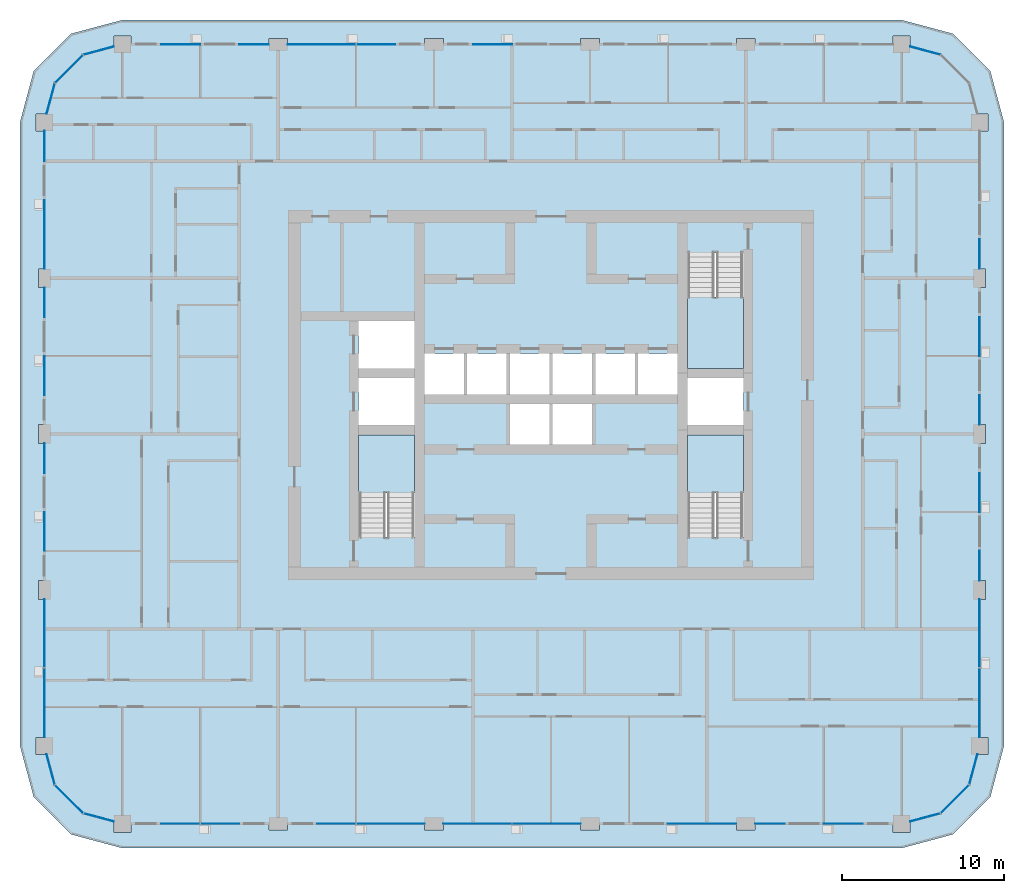
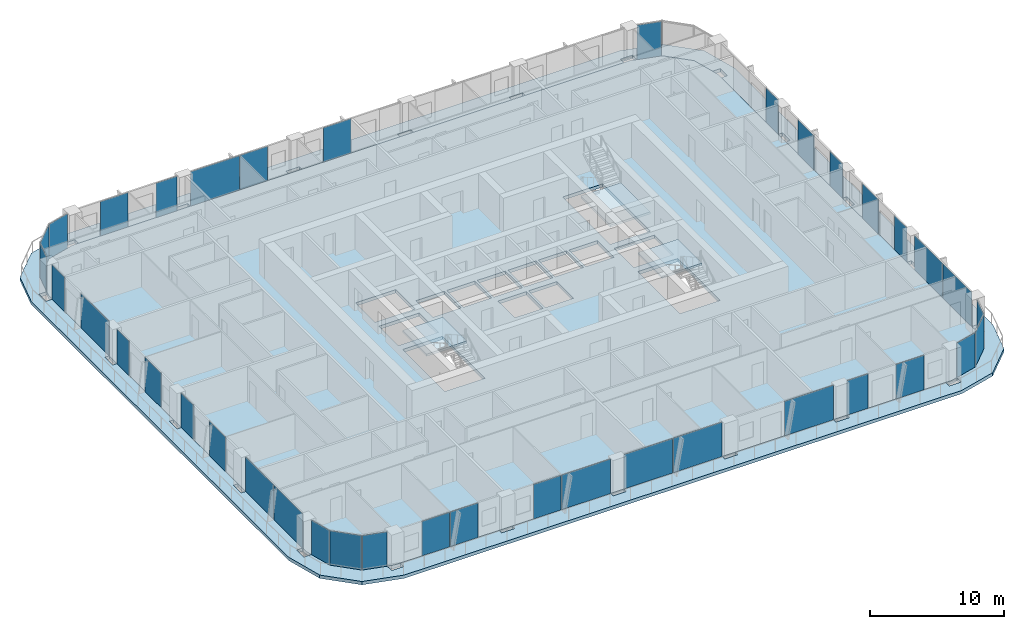
# One storey, part 7 of 22: 39 plates, 5 slabs, 23 elements without a shape of their own.
"""IFC4 building model written with IfcOpenShell, lengths in metres."""

from ifc_helpers import new_model, si_unit, direction, frame, origin, origin_2d, place, context, subcontext, project, spatial, polyline, rectangle, outline, extrude, material, layer, layer_set, type_object, element, aggregate, save


model = new_model("IFC4")

# Units and contexts
model_context = context("Model", 3, precision=1e-05, world=origin(), true_north=direction((0.0, 1.0)))
body_context = subcontext(model_context, "Body", "Model", "MODEL_VIEW")
ifc_project = project(units=[si_unit("LENGTHUNIT", "METRE"), si_unit("AREAUNIT", "SQUARE_METRE"), si_unit("VOLUMEUNIT", "CUBIC_METRE"), si_unit("PLANEANGLEUNIT", "RADIAN"), si_unit("MASSUNIT", "GRAM", prefix="KILO")], contexts=[model_context])

# Site, building, storey
site_placement = place(None, origin())
site = spatial("IfcSite", under=ifc_project, at=site_placement, CompositionType="ELEMENT")
building_placement = place(site_placement, origin())
building = spatial("IfcBuilding", under=site, at=building_placement, Name="Madar Terraces", CompositionType="ELEMENT")
storey_placement = place(building_placement, frame((0.0, 0.0, 152.5)))
storey = spatial("IfcBuildingStorey", under=building, at=storey_placement, Name="L39", CompositionType="ELEMENT", Elevation=152.5)

# Slabs
ifc_material_1 = material(Name="Concrete C50/60", Category="concrete")
ifc_layer_1 = layer(ifc_material_1, 0.300048828125)
ifc_layer_set_1 = layer_set([ifc_layer_1], Name="Balcony band 300")
slab_type_1 = type_object("IfcSlabType", Name="Balcony band 300", PredefinedType="FLOOR", material=ifc_layer_set_1)
slab_1_placement = place(storey_placement, frame((0.0, 0.0, -0.300048828125)))
element("IfcSlab", 1, at=slab_1_placement, inside=storey, type_object=slab_type_1, Name="Balcony band", PredefinedType="FLOOR", context=body_context, shape_type="SweptSolid", body=[
    extrude(outline(polyline([(4.800048828125, -1.5), (1.64990234375, -0.656005859375), (-0.656005859375, 1.64990234375), (-1.5, 4.800048828125), (-1.5, 43.199951171875), (-0.656005859375, 46.35009765625), (1.64990234375, 48.656005859375), (4.800048828125, 49.5), (52.800048828125, 49.5), (55.949951171875, 48.656005859375), (58.256103515625, 46.35009765625), (59.10009765625, 43.199951171875), (59.10009765625, 4.800048828125), (58.256103515625, 1.64990234375), (55.949951171875, -0.656005859375), (52.800048828125, -1.5), (4.800048828125, -1.5)]), holes=[polyline([(5.324951171875, -0.52490234375), (5.324951171875, 0.0), (13.824951171875, 0.0), (13.824951171875, -0.375), (14.97509765625, -0.375), (14.97509765625, 0.0), (23.425048828125, 0.0), (23.425048828125, -0.375), (24.574951171875, -0.375), (24.574951171875, 0.0), (33.02490234375, 0.0), (33.02490234375, -0.375), (34.175048828125, -0.375), (34.175048828125, 0.0), (42.625, 0.0), (42.625, -0.375), (43.77490234375, -0.375), (43.77490234375, 0.0), (52.27490234375, 0.0), (52.27490234375, -0.52490234375), (53.324951171875, -0.52490234375), (53.324951171875, 0.140625), (55.199951171875, 0.64306640625), (56.956787109375, 2.39990234375), (57.459228515625, 4.27490234375), (58.125, 4.27490234375), (58.125, 5.324951171875), (57.60009765625, 5.324951171875), (57.60009765625, 13.824951171875), (57.97509765625, 13.824951171875), (57.97509765625, 14.97509765625), (57.60009765625, 14.97509765625), (57.60009765625, 23.425048828125), (57.97509765625, 23.425048828125), (57.97509765625, 24.574951171875), (57.60009765625, 24.574951171875), (57.60009765625, 33.02490234375), (57.97509765625, 33.02490234375), (57.97509765625, 34.175048828125), (57.60009765625, 34.175048828125), (57.60009765625, 42.675048828125), (58.125, 42.675048828125), (58.125, 43.72509765625), (57.459228515625, 43.72509765625), (56.956787109375, 45.60009765625), (55.199951171875, 47.35693359375), (53.324951171875, 47.859375), (53.324951171875, 48.52490234375), (52.27490234375, 48.52490234375), (52.27490234375, 48.0), (43.77490234375, 48.0), (43.77490234375, 48.375), (42.625, 48.375), (42.625, 48.0), (34.175048828125, 48.0), (34.175048828125, 48.375), (33.02490234375, 48.375), (33.02490234375, 48.0), (24.574951171875, 48.0), (24.574951171875, 48.375), (23.425048828125, 48.375), (23.425048828125, 48.0), (14.97509765625, 48.0), (14.97509765625, 48.375), (13.824951171875, 48.375), (13.824951171875, 48.0), (5.324951171875, 48.0), (5.324951171875, 48.52490234375), (4.27490234375, 48.52490234375), (4.27490234375, 47.859375), (2.39990234375, 47.35693359375), (0.64306640625, 45.60009765625), (0.140625, 43.72509765625), (-0.52490234375, 43.72509765625), (-0.52490234375, 42.675048828125), (0.0, 42.675048828125), (0.0, 34.175048828125), (-0.375, 34.175048828125), (-0.375, 33.02490234375), (0.0, 33.02490234375), (0.0, 24.574951171875), (-0.375, 24.574951171875), (-0.375, 23.425048828125), (0.0, 23.425048828125), (0.0, 14.97509765625), (-0.375, 14.97509765625), (-0.375, 13.824951171875), (0.0, 13.824951171875), (0.0, 5.324951171875), (-0.52490234375, 5.324951171875), (-0.52490234375, 4.27490234375), (0.140625, 4.27490234375), (0.64306640625, 2.39990234375), (2.39990234375, 0.64306640625), (4.27490234375, 0.140625), (4.27490234375, -0.52490234375), (5.324951171875, -0.52490234375)])]), origin(), (0.0, 0.0, 1.0), 0.300048828125),
])
ifc_material_2 = material(Name="Concrete C50/60", Category="concrete")
ifc_layer_2 = layer(ifc_material_2, 0.300048828125)
ifc_layer_set_2 = layer_set([ifc_layer_2], Name="FS2 PT flat slab 300")
slab_type_2 = type_object("IfcSlabType", Name="FS2 PT flat slab 300", PredefinedType="FLOOR", material=ifc_layer_set_2)
slab_2_placement = place(storey_placement, frame((0.0, 0.0, -0.300048828125)))
element("IfcSlab", 2, at=slab_2_placement, inside=storey, type_object=slab_type_2, Name="Floor slab L39 (1)", PredefinedType="FLOOR", context=body_context, shape_type="SweptSolid", body=[
    extrude(outline(polyline([(52.800048828125, 0.0), (55.199951171875, 0.64306640625), (56.95703125, 2.39990234375), (57.60009765625, 4.800048828125), (57.60009765625, 43.199951171875), (56.95703125, 45.60009765625), (55.199951171875, 47.35693359375), (52.800048828125, 48.0), (4.800048828125, 48.0), (2.39990234375, 47.35693359375), (0.64306640625, 45.60009765625), (0.0, 43.199951171875), (0.0, 4.800048828125), (0.64306640625, 2.39990234375), (2.39990234375, 0.64306640625), (4.800048828125, 0.0), (52.800048828125, 0.0)]), holes=[polyline([(22.800048828125, 17.64990234375), (19.35009765625, 17.64990234375), (19.35009765625, 23.949951171875), (22.800048828125, 23.949951171875), (22.800048828125, 17.64990234375)]), polyline([(28.666748046875, 23.35009765625), (28.666748046875, 25.85009765625), (31.10009765625, 25.85009765625), (31.10009765625, 23.35009765625), (28.666748046875, 23.35009765625)]), polyline([(19.35009765625, 24.550048828125), (19.35009765625, 27.449951171875), (22.800048828125, 27.449951171875), (22.800048828125, 24.550048828125), (19.35009765625, 24.550048828125)]), polyline([(23.39990234375, 26.449951171875), (23.39990234375, 28.949951171875), (25.833251953125, 28.949951171875), (25.833251953125, 26.449951171875), (23.39990234375, 26.449951171875)]), polyline([(26.033447265625, 26.449951171875), (26.033447265625, 28.949951171875), (28.466552734375, 28.949951171875), (28.466552734375, 26.449951171875), (26.033447265625, 26.449951171875)]), polyline([(28.666748046875, 26.449951171875), (28.666748046875, 28.949951171875), (31.10009765625, 28.949951171875), (31.10009765625, 26.449951171875), (28.666748046875, 26.449951171875)]), polyline([(19.35009765625, 28.050048828125), (19.35009765625, 30.949951171875), (22.800048828125, 30.949951171875), (22.800048828125, 28.050048828125), (19.35009765625, 28.050048828125)]), polyline([(43.050048828125, 17.64990234375), (39.60009765625, 17.64990234375), (39.60009765625, 23.949951171875), (43.050048828125, 23.949951171875), (43.050048828125, 17.64990234375)]), polyline([(31.300048828125, 23.35009765625), (31.300048828125, 25.85009765625), (33.7333984375, 25.85009765625), (33.7333984375, 23.35009765625), (31.300048828125, 23.35009765625)]), polyline([(39.60009765625, 24.550048828125), (39.60009765625, 27.449951171875), (43.050048828125, 27.449951171875), (43.050048828125, 24.550048828125), (39.60009765625, 24.550048828125)]), polyline([(31.300048828125, 26.449951171875), (31.300048828125, 28.949951171875), (33.7333984375, 28.949951171875), (33.7333984375, 26.449951171875), (31.300048828125, 26.449951171875)]), polyline([(33.933349609375, 26.449951171875), (33.933349609375, 28.949951171875), (36.36669921875, 28.949951171875), (36.36669921875, 26.449951171875), (33.933349609375, 26.449951171875)]), polyline([(36.566650390625, 26.449951171875), (36.566650390625, 28.949951171875), (39.0, 28.949951171875), (39.0, 26.449951171875), (36.566650390625, 26.449951171875)]), polyline([(39.60009765625, 28.050048828125), (39.60009765625, 35.14990234375), (43.050048828125, 35.14990234375), (43.050048828125, 28.050048828125), (39.60009765625, 28.050048828125)])]), origin(), (0.0, 0.0, 1.0), 0.300048828125),
])

# Curtain wall, plates
ifc_material_3 = material(Name="Glass, ceramic frit dark grey, with black aluminium frame", Category="aluminium")
ifc_layer_3 = layer(ifc_material_3, 0.199951171875)
ifc_layer_set_3 = layer_set([ifc_layer_3], Name="Facade curtain wall, fritted glass")
curtain_wall_type = type_object("IfcCurtainWallType", Name="Facade curtain wall, fritted glass", PredefinedType="NOTDEFINED", material=ifc_layer_set_3)
curtain_wall_1_placement = place(storey_placement, origin())
curtain_wall_1 = element("IfcCurtainWall", 3, at=curtain_wall_1_placement, inside=storey, type_object=curtain_wall_type, Name="Outer skin curtain wall south bay 1", PredefinedType="NOTDEFINED")
ifc_material_4 = material(Name="Glass, ceramic frit dark grey", Category="glass")
ifc_layer_4 = layer(ifc_material_4, 0.028076171875)
ifc_layer_set_4 = layer_set([ifc_layer_4], Name="Facade glass panel 28")
plate_type = type_object("IfcPlateType", Name="Facade glass panel 28", PredefinedType="CURTAIN_PANEL", material=ifc_layer_set_4)
plate_1_placement = place(storey_placement, frame((8.385009765625, 0.0, 0.0), z_axis=(0.0, 0.0, 1.0), x_axis=(1.0, 0.0, 0.0)))
plate_1 = element("IfcPlate", 4, at=plate_1_placement, type_object=plate_type, Name="Panel 1", PredefinedType="CURTAIN_PANEL", context=body_context, shape_type="SweptSolid", body=[
    extrude(rectangle(XDim=2.3701171875, YDim=0.028076171875, at=origin_2d()), origin(), (0.0, 0.0, 1.0), 3.139892578125),
])
plate_2_placement = place(storey_placement, frame((10.81494140625, 0.0, 0.0), z_axis=(0.0, 0.0, 1.0), x_axis=(1.0, 0.0, 0.0)))
plate_2 = element("IfcPlate", 5, at=plate_2_placement, type_object=plate_type, Name="Panel 2", PredefinedType="CURTAIN_PANEL", context=body_context, shape_type="SweptSolid", body=[
    extrude(rectangle(XDim=2.3701171875, YDim=0.028076171875, at=origin_2d()), origin(), (0.0, 0.0, 1.0), 3.139892578125),
])
aggregate(curtain_wall_1, [plate_1, plate_2])

curtain_wall_2_placement = place(storey_placement, origin())
curtain_wall_2 = element("IfcCurtainWall", 6, at=curtain_wall_2_placement, inside=storey, type_object=curtain_wall_type, Name="Outer skin curtain wall south bay 2", PredefinedType="NOTDEFINED")
plate_3_placement = place(storey_placement, frame((17.985107421875, 0.0, 0.0), z_axis=(0.0, 0.0, 1.0), x_axis=(1.0, 0.0, 0.0)))
plate_3 = element("IfcPlate", 7, at=plate_3_placement, type_object=plate_type, Name="Panel 1", PredefinedType="CURTAIN_PANEL", context=body_context, shape_type="SweptSolid", body=[
    extrude(rectangle(XDim=2.3701171875, YDim=0.028076171875, at=origin_2d()), origin(), (0.0, 0.0, 1.0), 3.139892578125),
])
plate_4_placement = place(storey_placement, frame((21.327392578125, 0.0, 0.0), z_axis=(0.0, 0.0, 1.0), x_axis=(1.0, 0.0, 0.0)))
plate_4 = element("IfcPlate", 8, at=plate_4_placement, type_object=plate_type, Name="Panel 2", PredefinedType="CURTAIN_PANEL", context=body_context, shape_type="SweptSolid", body=[
    extrude(rectangle(XDim=4.195068359375, YDim=0.028076171875, at=origin_2d()), origin(), (0.0, 0.0, 1.0), 3.139892578125),
])
aggregate(curtain_wall_2, [plate_3, plate_4])

curtain_wall_3_placement = place(storey_placement, origin())
curtain_wall_3 = element("IfcCurtainWall", 9, at=curtain_wall_3_placement, inside=storey, type_object=curtain_wall_type, Name="Outer skin curtain wall south bay 3", PredefinedType="NOTDEFINED")
plate_5_placement = place(storey_placement, frame((26.672607421875, 0.0, 0.0), z_axis=(0.0, 0.0, 1.0), x_axis=(1.0, 0.0, 0.0)))
plate_5 = element("IfcPlate", 10, at=plate_5_placement, type_object=plate_type, Name="Panel 1", PredefinedType="CURTAIN_PANEL", context=body_context, shape_type="SweptSolid", body=[
    extrude(rectangle(XDim=4.195068359375, YDim=0.028076171875, at=origin_2d()), origin(), (0.0, 0.0, 1.0), 3.139892578125),
])
plate_6_placement = place(storey_placement, frame((30.927490234375, 0.0, 0.0), z_axis=(0.0, 0.0, 1.0), x_axis=(1.0, 0.0, 0.0)))
plate_6 = element("IfcPlate", 11, at=plate_6_placement, type_object=plate_type, Name="Panel 2", PredefinedType="CURTAIN_PANEL", context=body_context, shape_type="SweptSolid", body=[
    extrude(rectangle(XDim=4.195068359375, YDim=0.028076171875, at=origin_2d()), origin(), (0.0, 0.0, 1.0), 3.139892578125),
])
aggregate(curtain_wall_3, [plate_5, plate_6])

# Curtain wall, plate
curtain_wall_4_placement = place(storey_placement, origin())
curtain_wall_4 = element("IfcCurtainWall", 12, at=curtain_wall_4_placement, inside=storey, type_object=curtain_wall_type, Name="Outer skin curtain wall south bay 4", PredefinedType="NOTDEFINED")
plate_7_placement = place(storey_placement, frame((40.512451171875, 0.0, 0.0), z_axis=(0.0, 0.0, 1.0), x_axis=(1.0, 0.0, 0.0)))
plate_7 = element("IfcPlate", 13, at=plate_7_placement, type_object=plate_type, Name="Panel 1", PredefinedType="CURTAIN_PANEL", context=body_context, shape_type="SweptSolid", body=[
    extrude(rectangle(XDim=4.22509765625, YDim=0.028076171875, at=origin_2d()), origin(), (0.0, 0.0, 1.0), 3.139892578125),
])
aggregate(curtain_wall_4, [plate_7])

# Curtain wall, plates
curtain_wall_5_placement = place(storey_placement, origin())
curtain_wall_5 = element("IfcCurtainWall", 14, at=curtain_wall_5_placement, inside=storey, type_object=curtain_wall_type, Name="Outer skin curtain wall south bay 5", PredefinedType="NOTDEFINED")
plate_8_placement = place(storey_placement, frame((44.6875, 0.0, 0.0), z_axis=(0.0, 0.0, 1.0), x_axis=(1.0, 0.0, 0.0)))
plate_8 = element("IfcPlate", 15, at=plate_8_placement, type_object=plate_type, Name="Panel 1", PredefinedType="CURTAIN_PANEL", context=body_context, shape_type="SweptSolid", body=[
    extrude(rectangle(XDim=1.824951171875, YDim=0.028076171875, at=origin_2d()), origin(), (0.0, 0.0, 1.0), 3.139892578125),
])
plate_9_placement = place(storey_placement, frame((49.199951171875, 0.0, 0.0), z_axis=(0.0, 0.0, 1.0), x_axis=(1.0, 0.0, 0.0)))
plate_9 = element("IfcPlate", 16, at=plate_9_placement, type_object=plate_type, Name="Panel 2", PredefinedType="CURTAIN_PANEL", context=body_context, shape_type="SweptSolid", body=[
    extrude(rectangle(XDim=2.39990234375, YDim=0.028076171875, at=origin_2d()), origin(), (0.0, 0.0, 1.0), 3.139892578125),
])
aggregate(curtain_wall_5, [plate_8, plate_9])

curtain_wall_6_placement = place(storey_placement, origin())
curtain_wall_6 = element("IfcCurtainWall", 17, at=curtain_wall_6_placement, inside=storey, type_object=curtain_wall_type, Name="Outer skin curtain wall east bay 1", PredefinedType="NOTDEFINED")
plate_10_placement = place(storey_placement, frame((57.60009765625, 7.447509765625, 0.0), z_axis=(0.0, 0.0, 1.0), x_axis=(0.0, 1.0, 0.0)))
plate_10 = element("IfcPlate", 18, at=plate_10_placement, type_object=plate_type, Name="Panel 1", PredefinedType="CURTAIN_PANEL", context=body_context, shape_type="SweptSolid", body=[
    extrude(rectangle(XDim=4.2451171875, YDim=0.028076171875, at=origin_2d()), origin(), (0.0, 0.0, 1.0), 3.139892578125),
])
plate_11_placement = place(storey_placement, frame((57.60009765625, 11.7275390625, 0.0), z_axis=(0.0, 0.0, 1.0), x_axis=(0.0, 1.0, 0.0)))
plate_11 = element("IfcPlate", 19, at=plate_11_placement, type_object=plate_type, Name="Panel 2", PredefinedType="CURTAIN_PANEL", context=body_context, shape_type="SweptSolid", body=[
    extrude(rectangle(XDim=4.195068359375, YDim=0.028076171875, at=origin_2d()), origin(), (0.0, 0.0, 1.0), 3.139892578125),
])
aggregate(curtain_wall_6, [plate_10, plate_11])

curtain_wall_7_placement = place(storey_placement, origin())
curtain_wall_7 = element("IfcCurtainWall", 20, at=curtain_wall_7_placement, inside=storey, type_object=curtain_wall_type, Name="Outer skin curtain wall east bay 2", PredefinedType="NOTDEFINED")
plate_12_placement = place(storey_placement, frame((57.60009765625, 15.887451171875, 0.0), z_axis=(0.0, 0.0, 1.0), x_axis=(0.0, 1.0, 0.0)))
plate_12 = element("IfcPlate", 21, at=plate_12_placement, type_object=plate_type, Name="Panel 1", PredefinedType="CURTAIN_PANEL", context=body_context, shape_type="SweptSolid", body=[
    extrude(rectangle(XDim=1.824951171875, YDim=0.028076171875, at=origin_2d()), origin(), (0.0, 0.0, 1.0), 3.139892578125),
])
plate_13_placement = place(storey_placement, frame((57.60009765625, 20.39990234375, 0.0), z_axis=(0.0, 0.0, 1.0), x_axis=(0.0, 1.0, 0.0)))
plate_13 = element("IfcPlate", 22, at=plate_13_placement, type_object=plate_type, Name="Panel 2", PredefinedType="CURTAIN_PANEL", context=body_context, shape_type="SweptSolid", body=[
    extrude(rectangle(XDim=2.39990234375, YDim=0.028076171875, at=origin_2d()), origin(), (0.0, 0.0, 1.0), 3.139892578125),
])
aggregate(curtain_wall_7, [plate_12, plate_13])

curtain_wall_8_placement = place(storey_placement, origin())
curtain_wall_8 = element("IfcCurtainWall", 23, at=curtain_wall_8_placement, inside=storey, type_object=curtain_wall_type, Name="Outer skin curtain wall east bay 3", PredefinedType="NOTDEFINED")
plate_14_placement = place(storey_placement, frame((57.60009765625, 25.487548828125, 0.0), z_axis=(0.0, 0.0, 1.0), x_axis=(0.0, 1.0, 0.0)))
plate_14 = element("IfcPlate", 24, at=plate_14_placement, type_object=plate_type, Name="Panel 1", PredefinedType="CURTAIN_PANEL", context=body_context, shape_type="SweptSolid", body=[
    extrude(rectangle(XDim=1.824951171875, YDim=0.028076171875, at=origin_2d()), origin(), (0.0, 0.0, 1.0), 3.139892578125),
])
plate_15_placement = place(storey_placement, frame((57.60009765625, 30.0, 0.0), z_axis=(0.0, 0.0, 1.0), x_axis=(0.0, 1.0, 0.0)))
plate_15 = element("IfcPlate", 25, at=plate_15_placement, type_object=plate_type, Name="Panel 2", PredefinedType="CURTAIN_PANEL", context=body_context, shape_type="SweptSolid", body=[
    extrude(rectangle(XDim=2.39990234375, YDim=0.028076171875, at=origin_2d()), origin(), (0.0, 0.0, 1.0), 3.139892578125),
])
aggregate(curtain_wall_8, [plate_14, plate_15])

# Curtain wall, plate
curtain_wall_9_placement = place(storey_placement, origin())
curtain_wall_9 = element("IfcCurtainWall", 26, at=curtain_wall_9_placement, inside=storey, type_object=curtain_wall_type, Name="Outer skin curtain wall east bay 4", PredefinedType="NOTDEFINED")
plate_16_placement = place(storey_placement, frame((57.60009765625, 35.08740234375, 0.0), z_axis=(0.0, 0.0, 1.0), x_axis=(0.0, 1.0, 0.0)))
plate_16 = element("IfcPlate", 27, at=plate_16_placement, type_object=plate_type, Name="Panel 1", PredefinedType="CURTAIN_PANEL", context=body_context, shape_type="SweptSolid", body=[
    extrude(rectangle(XDim=1.824951171875, YDim=0.028076171875, at=origin_2d()), origin(), (0.0, 0.0, 1.0), 3.139892578125),
])
aggregate(curtain_wall_9, [plate_16])

curtain_wall_10_placement = place(storey_placement, origin())
curtain_wall_10 = element("IfcCurtainWall", 28, at=curtain_wall_10_placement, inside=storey, type_object=curtain_wall_type, Name="Outer skin curtain wall north bay 3", PredefinedType="NOTDEFINED")
plate_17_placement = place(storey_placement, frame((27.60009765625, 48.0, 0.0), z_axis=(0.0, 0.0, 1.0), x_axis=(-1.0, 0.0, 0.0)))
plate_17 = element("IfcPlate", 29, at=plate_17_placement, type_object=plate_type, Name="Panel 2", PredefinedType="CURTAIN_PANEL", context=body_context, shape_type="SweptSolid", body=[
    extrude(rectangle(XDim=2.39990234375, YDim=0.028076171875, at=origin_2d()), origin(), (0.0, 0.0, 1.0), 3.139892578125),
])
aggregate(curtain_wall_10, [plate_17])

# Curtain wall, plates
curtain_wall_11_placement = place(storey_placement, origin())
curtain_wall_11 = element("IfcCurtainWall", 30, at=curtain_wall_11_placement, inside=storey, type_object=curtain_wall_type, Name="Outer skin curtain wall north bay 4", PredefinedType="NOTDEFINED")
plate_18_placement = place(storey_placement, frame((20.4150390625, 48.0, 0.0), z_axis=(0.0, 0.0, 1.0), x_axis=(-1.0, 0.0, 0.0)))
plate_18 = element("IfcPlate", 31, at=plate_18_placement, type_object=plate_type, Name="Panel 1", PredefinedType="CURTAIN_PANEL", context=body_context, shape_type="SweptSolid", body=[
    extrude(rectangle(XDim=2.3701171875, YDim=0.028076171875, at=origin_2d()), origin(), (0.0, 0.0, 1.0), 3.139892578125),
])
plate_19_placement = place(storey_placement, frame((17.072509765625, 48.0, 0.0), z_axis=(0.0, 0.0, 1.0), x_axis=(-1.0, 0.0, 0.0)))
plate_19 = element("IfcPlate", 32, at=plate_19_placement, type_object=plate_type, Name="Panel 2", PredefinedType="CURTAIN_PANEL", context=body_context, shape_type="SweptSolid", body=[
    extrude(rectangle(XDim=4.195068359375, YDim=0.028076171875, at=origin_2d()), origin(), (0.0, 0.0, 1.0), 3.139892578125),
])
aggregate(curtain_wall_11, [plate_18, plate_19])

curtain_wall_12_placement = place(storey_placement, origin())
curtain_wall_12 = element("IfcCurtainWall", 33, at=curtain_wall_12_placement, inside=storey, type_object=curtain_wall_type, Name="Outer skin curtain wall north bay 5", PredefinedType="NOTDEFINED")
plate_20_placement = place(storey_placement, frame((12.91259765625, 48.0, 0.0), z_axis=(0.0, 0.0, 1.0), x_axis=(-1.0, 0.0, 0.0)))
plate_20 = element("IfcPlate", 34, at=plate_20_placement, type_object=plate_type, Name="Panel 1", PredefinedType="CURTAIN_PANEL", context=body_context, shape_type="SweptSolid", body=[
    extrude(rectangle(XDim=1.824951171875, YDim=0.028076171875, at=origin_2d()), origin(), (0.0, 0.0, 1.0), 3.139892578125),
])
plate_21_placement = place(storey_placement, frame((8.39990234375, 48.0, 0.0), z_axis=(0.0, 0.0, 1.0), x_axis=(-1.0, 0.0, 0.0)))
plate_21 = element("IfcPlate", 35, at=plate_21_placement, type_object=plate_type, Name="Panel 2", PredefinedType="CURTAIN_PANEL", context=body_context, shape_type="SweptSolid", body=[
    extrude(rectangle(XDim=2.39990234375, YDim=0.028076171875, at=origin_2d()), origin(), (0.0, 0.0, 1.0), 3.139892578125),
])
aggregate(curtain_wall_12, [plate_20, plate_21])

curtain_wall_13_placement = place(storey_placement, origin())
curtain_wall_13 = element("IfcCurtainWall", 36, at=curtain_wall_13_placement, inside=storey, type_object=curtain_wall_type, Name="Outer skin curtain wall west bay 1", PredefinedType="NOTDEFINED")
plate_22_placement = place(storey_placement, frame((0.0, 41.737548828125, 0.0), z_axis=(0.0, 0.0, 1.0), x_axis=(0.0, -1.0, 0.0)))
plate_22 = element("IfcPlate", 37, at=plate_22_placement, type_object=plate_type, Name="Panel 1", PredefinedType="CURTAIN_PANEL", context=body_context, shape_type="SweptSolid", body=[
    extrude(rectangle(XDim=1.875, YDim=0.028076171875, at=origin_2d()), origin(), (0.0, 0.0, 1.0), 3.139892578125),
])
plate_23_placement = place(storey_placement, frame((0.0, 36.28759765625, 0.0), z_axis=(0.0, 0.0, 1.0), x_axis=(0.0, -1.0, 0.0)))
plate_23 = element("IfcPlate", 38, at=plate_23_placement, type_object=plate_type, Name="Panel 2", PredefinedType="CURTAIN_PANEL", context=body_context, shape_type="SweptSolid", body=[
    extrude(rectangle(XDim=4.22509765625, YDim=0.028076171875, at=origin_2d()), origin(), (0.0, 0.0, 1.0), 3.139892578125),
])
aggregate(curtain_wall_13, [plate_22, plate_23])

curtain_wall_14_placement = place(storey_placement, origin())
curtain_wall_14 = element("IfcCurtainWall", 39, at=curtain_wall_14_placement, inside=storey, type_object=curtain_wall_type, Name="Outer skin curtain wall west bay 2", PredefinedType="NOTDEFINED")
plate_24_placement = place(storey_placement, frame((0.0, 32.112548828125, 0.0), z_axis=(0.0, 0.0, 1.0), x_axis=(0.0, -1.0, 0.0)))
plate_24 = element("IfcPlate", 40, at=plate_24_placement, type_object=plate_type, Name="Panel 1", PredefinedType="CURTAIN_PANEL", context=body_context, shape_type="SweptSolid", body=[
    extrude(rectangle(XDim=1.824951171875, YDim=0.028076171875, at=origin_2d()), origin(), (0.0, 0.0, 1.0), 3.139892578125),
])
plate_25_placement = place(storey_placement, frame((0.0, 27.60009765625, 0.0), z_axis=(0.0, 0.0, 1.0), x_axis=(0.0, -1.0, 0.0)))
plate_25 = element("IfcPlate", 41, at=plate_25_placement, type_object=plate_type, Name="Panel 2", PredefinedType="CURTAIN_PANEL", context=body_context, shape_type="SweptSolid", body=[
    extrude(rectangle(XDim=2.39990234375, YDim=0.028076171875, at=origin_2d()), origin(), (0.0, 0.0, 1.0), 3.139892578125),
])
aggregate(curtain_wall_14, [plate_24, plate_25])

curtain_wall_15_placement = place(storey_placement, origin())
curtain_wall_15 = element("IfcCurtainWall", 42, at=curtain_wall_15_placement, inside=storey, type_object=curtain_wall_type, Name="Outer skin curtain wall west bay 3", PredefinedType="NOTDEFINED")
plate_26_placement = place(storey_placement, frame((0.0, 22.512451171875, 0.0), z_axis=(0.0, 0.0, 1.0), x_axis=(0.0, -1.0, 0.0)))
plate_26 = element("IfcPlate", 43, at=plate_26_placement, type_object=plate_type, Name="Panel 1", PredefinedType="CURTAIN_PANEL", context=body_context, shape_type="SweptSolid", body=[
    extrude(rectangle(XDim=1.824951171875, YDim=0.028076171875, at=origin_2d()), origin(), (0.0, 0.0, 1.0), 3.139892578125),
])
plate_27_placement = place(storey_placement, frame((0.0, 18.0, 0.0), z_axis=(0.0, 0.0, 1.0), x_axis=(0.0, -1.0, 0.0)))
plate_27 = element("IfcPlate", 44, at=plate_27_placement, type_object=plate_type, Name="Panel 2", PredefinedType="CURTAIN_PANEL", context=body_context, shape_type="SweptSolid", body=[
    extrude(rectangle(XDim=2.39990234375, YDim=0.028076171875, at=origin_2d()), origin(), (0.0, 0.0, 1.0), 3.139892578125),
])
aggregate(curtain_wall_15, [plate_26, plate_27])

curtain_wall_16_placement = place(storey_placement, origin())
curtain_wall_16 = element("IfcCurtainWall", 45, at=curtain_wall_16_placement, inside=storey, type_object=curtain_wall_type, Name="Outer skin curtain wall west bay 4", PredefinedType="NOTDEFINED")
plate_28_placement = place(storey_placement, frame((0.0, 11.7275390625, 0.0), z_axis=(0.0, 0.0, 1.0), x_axis=(0.0, -1.0, 0.0)))
plate_28 = element("IfcPlate", 46, at=plate_28_placement, type_object=plate_type, Name="Panel 1", PredefinedType="CURTAIN_PANEL", context=body_context, shape_type="SweptSolid", body=[
    extrude(rectangle(XDim=4.195068359375, YDim=0.028076171875, at=origin_2d()), origin(), (0.0, 0.0, 1.0), 3.139892578125),
])
plate_29_placement = place(storey_placement, frame((0.0, 7.447509765625, 0.0), z_axis=(0.0, 0.0, 1.0), x_axis=(0.0, -1.0, 0.0)))
plate_29 = element("IfcPlate", 47, at=plate_29_placement, type_object=plate_type, Name="Panel 2", PredefinedType="CURTAIN_PANEL", context=body_context, shape_type="SweptSolid", body=[
    extrude(rectangle(XDim=4.2451171875, YDim=0.028076171875, at=origin_2d()), origin(), (0.0, 0.0, 1.0), 3.139892578125),
])
aggregate(curtain_wall_16, [plate_28, plate_29])

curtain_wall_17_placement = place(storey_placement, origin())
curtain_wall_17 = element("IfcCurtainWall", 48, at=curtain_wall_17_placement, inside=storey, type_object=curtain_wall_type, Name="Outer skin curtain wall south-east corner", PredefinedType="NOTDEFINED")
plate_30_placement = place(storey_placement, frame((54.248046875, 0.387939453125, 0.0), z_axis=(0.0, 0.0, 1.0), x_axis=(0.965925832509, 0.258819021888, 0.0)))
plate_30 = element("IfcPlate", 49, at=plate_30_placement, type_object=plate_type, Name="Panel 1", PredefinedType="CURTAIN_PANEL", context=body_context, shape_type="SweptSolid", body=[
    extrude(rectangle(XDim=1.9111328125, YDim=0.028076171875, at=origin_2d()), origin(), (0.0, 0.0, 1.0), 3.139892578125),
])
plate_31_placement = place(storey_placement, frame((56.078369140625, 1.521484375, 0.0), z_axis=(0.0, 0.0, 1.0), x_axis=(0.707106781187, 0.707106781187, 0.0)))
plate_31 = element("IfcPlate", 50, at=plate_31_placement, type_object=plate_type, Name="Panel 2", PredefinedType="CURTAIN_PANEL", context=body_context, shape_type="SweptSolid", body=[
    extrude(rectangle(XDim=2.424560546875, YDim=0.028076171875, at=origin_2d()), origin(), (0.0, 0.0, 1.0), 3.139892578125),
])
plate_32_placement = place(storey_placement, frame((57.2119140625, 3.35205078125, 0.0), z_axis=(0.0, 0.0, 1.0), x_axis=(0.258819021888, 0.965925832509, 0.0)))
plate_32 = element("IfcPlate", 51, at=plate_32_placement, type_object=plate_type, Name="Panel 3", PredefinedType="CURTAIN_PANEL", context=body_context, shape_type="SweptSolid", body=[
    extrude(rectangle(XDim=1.9111328125, YDim=0.028076171875, at=origin_2d()), origin(), (0.0, 0.0, 1.0), 3.139892578125),
])
aggregate(curtain_wall_17, [plate_30, plate_31, plate_32])

# Curtain wall, plate
curtain_wall_18_placement = place(storey_placement, origin())
curtain_wall_18 = element("IfcCurtainWall", 52, at=curtain_wall_18_placement, inside=storey, type_object=curtain_wall_type, Name="Outer skin curtain wall north-east corner", PredefinedType="NOTDEFINED")
plate_33_placement = place(storey_placement, frame((54.248046875, 47.612060546875, 0.0), z_axis=(0.0, 0.0, 1.0), x_axis=(-0.965925832509, 0.258819021888, 0.0)))
plate_33 = element("IfcPlate", 53, at=plate_33_placement, type_object=plate_type, Name="Panel 3", PredefinedType="CURTAIN_PANEL", context=body_context, shape_type="SweptSolid", body=[
    extrude(rectangle(XDim=1.9111328125, YDim=0.028076171875, at=origin_2d()), origin(), (0.0, 0.0, 1.0), 3.139892578125),
])
aggregate(curtain_wall_18, [plate_33])

# Curtain wall, plates
curtain_wall_19_placement = place(storey_placement, origin())
curtain_wall_19 = element("IfcCurtainWall", 54, at=curtain_wall_19_placement, inside=storey, type_object=curtain_wall_type, Name="Outer skin curtain wall north-west corner", PredefinedType="NOTDEFINED")
plate_34_placement = place(storey_placement, frame((3.35205078125, 47.612060546875, 0.0), z_axis=(0.0, 0.0, 1.0), x_axis=(-0.965925832509, -0.258819021888, 0.0)))
plate_34 = element("IfcPlate", 55, at=plate_34_placement, type_object=plate_type, Name="Panel 1", PredefinedType="CURTAIN_PANEL", context=body_context, shape_type="SweptSolid", body=[
    extrude(rectangle(XDim=1.9111328125, YDim=0.028076171875, at=origin_2d()), origin(), (0.0, 0.0, 1.0), 3.139892578125),
])
plate_35_placement = place(storey_placement, frame((1.521484375, 46.478515625, 0.0), z_axis=(0.0, 0.0, 1.0), x_axis=(-0.707106781187, -0.707106781187, 0.0)))
plate_35 = element("IfcPlate", 56, at=plate_35_placement, type_object=plate_type, Name="Panel 2", PredefinedType="CURTAIN_PANEL", context=body_context, shape_type="SweptSolid", body=[
    extrude(rectangle(XDim=2.424560546875, YDim=0.028076171875, at=origin_2d()), origin(), (0.0, 0.0, 1.0), 3.139892578125),
])
plate_36_placement = place(storey_placement, frame((0.387939453125, 44.64794921875, 0.0), z_axis=(0.0, 0.0, 1.0), x_axis=(-0.258819021888, -0.965925832509, 0.0)))
plate_36 = element("IfcPlate", 57, at=plate_36_placement, type_object=plate_type, Name="Panel 3", PredefinedType="CURTAIN_PANEL", context=body_context, shape_type="SweptSolid", body=[
    extrude(rectangle(XDim=1.9111328125, YDim=0.028076171875, at=origin_2d()), origin(), (0.0, 0.0, 1.0), 3.139892578125),
])
aggregate(curtain_wall_19, [plate_34, plate_35, plate_36])

curtain_wall_20_placement = place(storey_placement, origin())
curtain_wall_20 = element("IfcCurtainWall", 58, at=curtain_wall_20_placement, inside=storey, type_object=curtain_wall_type, Name="Outer skin curtain wall south-west corner", PredefinedType="NOTDEFINED")
plate_37_placement = place(storey_placement, frame((0.387939453125, 3.35205078125, 0.0), z_axis=(0.0, 0.0, 1.0), x_axis=(0.258819021888, -0.965925832509, 0.0)))
plate_37 = element("IfcPlate", 59, at=plate_37_placement, type_object=plate_type, Name="Panel 1", PredefinedType="CURTAIN_PANEL", context=body_context, shape_type="SweptSolid", body=[
    extrude(rectangle(XDim=1.9111328125, YDim=0.028076171875, at=origin_2d()), origin(), (0.0, 0.0, 1.0), 3.139892578125),
])
plate_38_placement = place(storey_placement, frame((1.521484375, 1.521484375, 0.0), z_axis=(0.0, 0.0, 1.0), x_axis=(0.707106781187, -0.707106781187, 0.0)))
plate_38 = element("IfcPlate", 60, at=plate_38_placement, type_object=plate_type, Name="Panel 2", PredefinedType="CURTAIN_PANEL", context=body_context, shape_type="SweptSolid", body=[
    extrude(rectangle(XDim=2.424560546875, YDim=0.028076171875, at=origin_2d()), origin(), (0.0, 0.0, 1.0), 3.139892578125),
])
plate_39_placement = place(storey_placement, frame((3.35205078125, 0.387939453125, 0.0), z_axis=(0.0, 0.0, 1.0), x_axis=(0.965925832509, -0.258819021888, 0.0)))
plate_39 = element("IfcPlate", 61, at=plate_39_placement, type_object=plate_type, Name="Panel 3", PredefinedType="CURTAIN_PANEL", context=body_context, shape_type="SweptSolid", body=[
    extrude(rectangle(XDim=1.9111328125, YDim=0.028076171875, at=origin_2d()), origin(), (0.0, 0.0, 1.0), 3.139892578125),
])
aggregate(curtain_wall_20, [plate_37, plate_38, plate_39])

# Stair, slab
ifc_material_5 = material(Name="Concrete C50/60", Category="concrete")
stair_type_1 = type_object("IfcStairType", Name="Stair ST1 protected exit", PredefinedType="HALF_TURN_STAIR", material=ifc_material_5)
stair_1_placement = place(storey_placement, origin())
stair_1 = element("IfcStair", 62, at=stair_1_placement, inside=storey, type_object=stair_type_1, Name="L39 Protected Exit Stair ST1", PredefinedType="HALF_TURN_STAIR")
ifc_material_6 = material(Name="Concrete C50/60", Category="concrete")
ifc_layer_5 = layer(ifc_material_6, 0.199951171875)
ifc_layer_set_5 = layer_set([ifc_layer_5], Name="Stair landing 200, top +1.75")
slab_type_3 = type_object("IfcSlabType", Name="Stair landing 200, top +1.75", PredefinedType="LANDING", material=ifc_layer_set_5)
slab_3_placement = place(storey_placement, frame((0.0, 0.0, 1.550048828125)))
slab_3 = element("IfcSlab", 63, at=slab_3_placement, type_object=slab_type_3, Name="ST1 landing 1", PredefinedType="LANDING", context=body_context, shape_type="SweptSolid", body=[
    extrude(outline(polyline([(19.35009765625, 20.360107421875), (22.800048828125, 20.360107421875), (22.800048828125, 23.949951171875), (19.35009765625, 23.949951171875), (19.35009765625, 20.360107421875)])), origin(), (0.0, 0.0, 1.0), 0.199951171875),
])
aggregate(stair_1, [slab_3])

ifc_material_7 = material(Name="Concrete C50/60", Category="concrete")
stair_type_2 = type_object("IfcStairType", Name="Stair ST2 protected exit", PredefinedType="HALF_TURN_STAIR", material=ifc_material_7)
stair_2_placement = place(storey_placement, origin())
stair_2 = element("IfcStair", 64, at=stair_2_placement, inside=storey, type_object=stair_type_2, Name="L39 Protected Exit Stair ST2", PredefinedType="HALF_TURN_STAIR")
slab_4_placement = place(storey_placement, frame((0.0, 0.0, 1.550048828125)))
slab_4 = element("IfcSlab", 65, at=slab_4_placement, type_object=slab_type_3, Name="ST2 landing 1", PredefinedType="LANDING", context=body_context, shape_type="SweptSolid", body=[
    extrude(outline(polyline([(39.60009765625, 28.050048828125), (43.050048828125, 28.050048828125), (43.050048828125, 32.43994140625), (39.60009765625, 32.43994140625), (39.60009765625, 28.050048828125)])), origin(), (0.0, 0.0, 1.0), 0.199951171875),
])
aggregate(stair_2, [slab_4])

ifc_material_8 = material(Name="Concrete C50/60", Category="concrete")
stair_type_3 = type_object("IfcStairType", Name="Stair ST3 protected exit", PredefinedType="HALF_TURN_STAIR", material=ifc_material_8)
stair_3_placement = place(storey_placement, origin())
stair_3 = element("IfcStair", 66, at=stair_3_placement, inside=storey, type_object=stair_type_3, Name="L39 Protected Exit Stair ST3", PredefinedType="HALF_TURN_STAIR")
slab_5_placement = place(storey_placement, frame((0.0, 0.0, 1.550048828125)))
slab_5 = element("IfcSlab", 67, at=slab_5_placement, type_object=slab_type_3, Name="ST3 landing 1", PredefinedType="LANDING", context=body_context, shape_type="SweptSolid", body=[
    extrude(outline(polyline([(39.60009765625, 20.360107421875), (43.050048828125, 20.360107421875), (43.050048828125, 23.949951171875), (39.60009765625, 23.949951171875), (39.60009765625, 20.360107421875)])), origin(), (0.0, 0.0, 1.0), 0.199951171875),
])
aggregate(stair_3, [slab_5])

save(model, "model.ifc")
